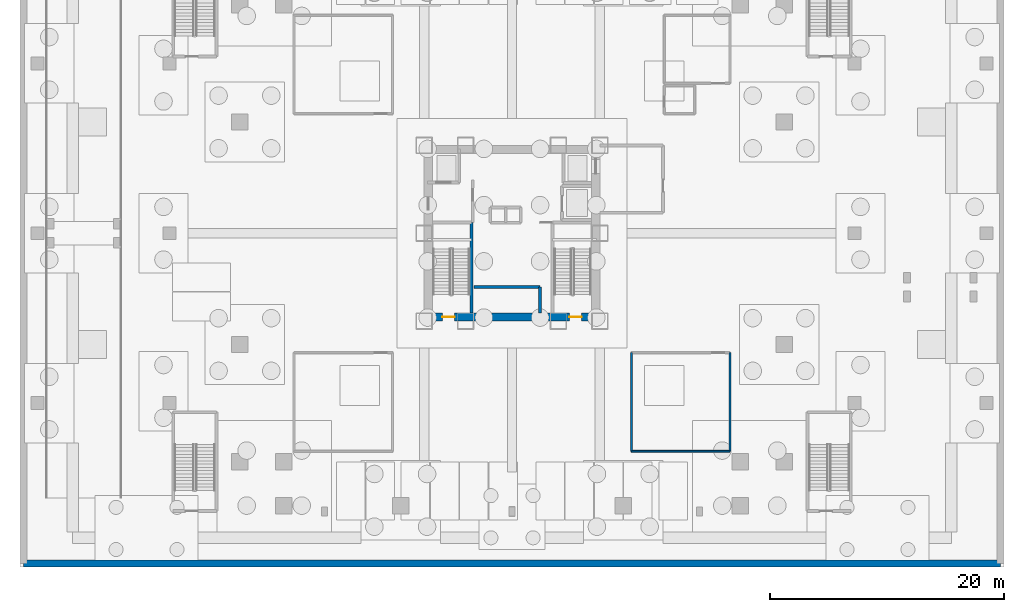
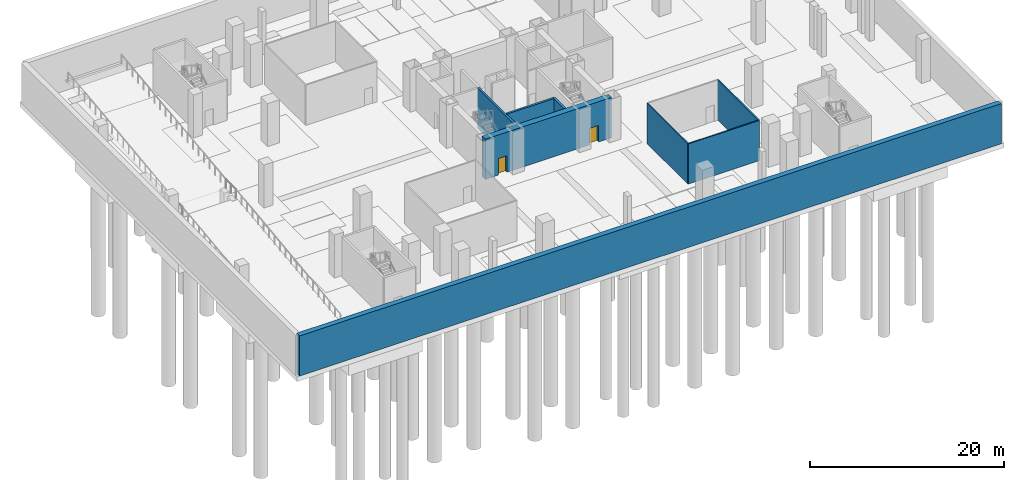
# One storey, part 4 of 16: 8 walls, 2 doors, 2 openings.
"""IFC4 building model written with IfcOpenShell, lengths in metres."""

from ifc_helpers import new_model, si_unit, direction, frame, frame_2d, origin, place, context, subcontext, project, spatial, rectangle, extrude, material, layer, layer_set, type_object, element, fill, save


model = new_model("IFC4")

# Units and contexts
model_context = context("Model", 3, precision=1e-05, world=origin(), true_north=direction((0.0, 1.0)))
body_context = subcontext(model_context, "Body", "Model", "MODEL_VIEW")
ifc_project = project(units=[si_unit("LENGTHUNIT", "METRE"), si_unit("AREAUNIT", "SQUARE_METRE"), si_unit("VOLUMEUNIT", "CUBIC_METRE"), si_unit("PLANEANGLEUNIT", "RADIAN"), si_unit("MASSUNIT", "GRAM", prefix="KILO")], contexts=[model_context])

# Site, building, storey
site_placement = place(None, origin())
site = spatial("IfcSite", under=ifc_project, at=site_placement, CompositionType="ELEMENT")
building_placement = place(site_placement, origin())
building = spatial("IfcBuilding", under=site, at=building_placement, Name="Trevonay Congress Spire", CompositionType="ELEMENT")
storey_placement = place(building_placement, frame((0.0, 0.0, -10.800048828125)))
storey = spatial("IfcBuildingStorey", under=building, at=storey_placement, Name="B2", CompositionType="ELEMENT", Elevation=-10.800048828125)

# Wall, openings, doors
ifc_material_1 = material(Name="Concrete C60/75", Category="concrete")
ifc_layer_1 = layer(ifc_material_1, 0.699951171875, Name="Concrete C60/75")
ifc_layer_set_1 = layer_set([ifc_layer_1], Name="Concrete C60/75")
wall_type_1 = type_object("IfcWallType", Name="WAL-CORE-700", PredefinedType="SHEAR", material=ifc_layer_set_1)
wall_1_placement = place(storey_placement, frame((-7.5, -7.14990234375, 0.0), z_axis=(0.0, 0.0, 1.0), x_axis=(1.0, 0.0, 0.0)))
wall_1 = element("IfcWall", 1, at=wall_1_placement, inside=storey, type_object=wall_type_1, Name="B2 South structural core shear wall", PredefinedType="SHEAR", context=body_context, shape_type="SweptSolid", body=[
    extrude(rectangle(XDim=15.0, YDim=0.699951171875, at=frame_2d((7.5, 0.0))), origin(), (0.0, 0.0, 1.0), 5.050048828125),
])
opening_1_placement = place(wall_1_placement, frame((1.550048828125, 0.0, 0.0)))
opening_1 = element("IfcOpeningElement", 2, at=opening_1_placement, cuts=wall_1, Name="Opening D05", PredefinedType="OPENING", context=body_context, shape_type="SweptSolid", body=[
    extrude(rectangle(XDim=1.050048828125, YDim=2.080078125, at=frame_2d((0.52490234375, 1.0400390625))), frame((0.0, 0.35986328125, 0.0), z_axis=(0.0, -1.0, 0.0), x_axis=(1.0, 0.0, 0.0)), (0.0, 0.0, 1.0), 0.719970703125),
])
opening_2_placement = place(wall_1_placement, frame((12.39990234375, 0.0, 0.0)))
opening_2 = element("IfcOpeningElement", 3, at=opening_2_placement, cuts=wall_1, Name="Opening D05", PredefinedType="OPENING", context=body_context, shape_type="SweptSolid", body=[
    extrude(rectangle(XDim=1.050048828125, YDim=2.080078125, at=frame_2d((0.52490234375, 1.0400390625))), frame((0.0, 0.35986328125, 0.0), z_axis=(0.0, -1.0, 0.0), x_axis=(1.0, 0.0, 0.0)), (0.0, 0.0, 1.0), 0.719970703125),
])
ifc_material_2 = material(Name="Steel ASTM A572 Grade 50", Category="steel")
door_type = type_object("IfcDoorType", Name="DOR-STAIR-110", OperationType="NOTDEFINED", PredefinedType="DOOR", material=ifc_material_2)
door_1_placement = place(opening_1_placement, origin())
door_1 = element("IfcDoor", 4, at=door_1_placement, inside=storey, type_object=door_type, Name="B2 Protected Stair ST-1 Door", OperationType="SINGLE_SWING_RIGHT", OverallHeight=2.080078125, OverallWidth=1.050048828125, PredefinedType="DOOR", context=body_context, shape_type="SweptSolid", body=[
    extrude(rectangle(XDim=1.050048828125, YDim=2.080078125, at=frame_2d((0.52490234375, 1.0400390625))), frame((0.0, 0.02490234375, 0.0), z_axis=(0.0, -1.0, 0.0), x_axis=(1.0, 0.0, 0.0)), (0.0, 0.0, 1.0), 0.050048828125),
])
fill(opening_1, door_1)
door_2_placement = place(opening_2_placement, origin())
door_2 = element("IfcDoor", 5, at=door_2_placement, inside=storey, type_object=door_type, Name="B2 Protected Stair ST-2 Door", OperationType="SINGLE_SWING_LEFT", OverallHeight=2.080078125, OverallWidth=1.050048828125, PredefinedType="DOOR", context=body_context, shape_type="SweptSolid", body=[
    extrude(rectangle(XDim=1.050048828125, YDim=2.080078125, at=frame_2d((0.52490234375, 1.0400390625))), frame((0.0, 0.02490234375, 0.0), z_axis=(0.0, -1.0, 0.0), x_axis=(1.0, 0.0, 0.0)), (0.0, 0.0, 1.0), 0.050048828125),
])
fill(opening_2, door_2)

# Walls
ifc_material_3 = material(Name="Concrete C40/50", Category="concrete")
ifc_layer_2 = layer(ifc_material_3, 0.14990234375, Name="Concrete C40/50")
ifc_layer_set_2 = layer_set([ifc_layer_2], Name="Concrete C40/50")
wall_type_2 = type_object("IfcWallType", Name="WAL-PART-150", PredefinedType="PARTITIONING", material=ifc_layer_set_2)
for number, where, z_axis, x_axis, name in (
    (6, (10.199951171875, -18.60009765625, 0.0), (0.0, 0.0, 1.0), (1.0, 0.0, 0.0), "B2 interior wall WB-B203-S"),
    (7, (10.199951171875, -18.60009765625, 0.0), (0.0, 0.0, 1.0), (0.0, 1.0, 0.0), "B2 interior wall WB-B203-W"),
    (8, (18.60009765625, -18.60009765625, 0.0), (0.0, 0.0, 1.0), (0.0, 1.0, 0.0), "B2 interior wall WB-B203-E"),
):
    element("IfcWall", number, at=place(storey_placement, frame(where, z_axis=z_axis, x_axis=x_axis)), inside=storey, type_object=wall_type_2, Name=name, PredefinedType="PARTITIONING", context=body_context, shape_type="SweptSolid", body=[
        extrude(rectangle(XDim=8.400146484375, YDim=0.14990234375, at=frame_2d((4.2001953125, 0.0))), origin(), (0.0, 0.0, 1.0), 5.050048828125),
    ])
ifc_material_4 = material(Name="Concrete C50/60", Category="concrete")
ifc_layer_3 = layer(ifc_material_4, 0.60009765625, Name="Concrete C50/60")
ifc_layer_set_3 = layer_set([ifc_layer_3], Name="Concrete C50/60")
wall_type_3 = type_object("IfcWallType", Name="WAL-RETAIN-600", PredefinedType="USERDEFINED", material=ifc_layer_set_3)
wall_2_placement = place(storey_placement, frame((-41.699951171875, -28.199951171875, 0.0), z_axis=(0.0, 0.0, 1.0), x_axis=(1.0, 0.0, 0.0)))
element("IfcWall", 9, at=wall_2_placement, inside=storey, type_object=wall_type_3, Name="B2 S perimeter concrete diaphragm retaining wall", ObjectType="RETAININGWALL", PredefinedType="USERDEFINED", context=body_context, shape_type="SweptSolid", body=[
    extrude(rectangle(XDim=83.39990234375, YDim=0.60009765625, at=frame_2d((41.699951171875, 0.0))), origin(), (0.0, 0.0, 1.0), 5.050048828125),
])
ifc_layer_4 = layer(ifc_material_3, 0.25, Name="Concrete C40/50")
ifc_layer_set_4 = layer_set([ifc_layer_4], Name="Concrete C40/50")
wall_type_4 = type_object("IfcWallType", Name="WAL-SHAFT-250", PredefinedType="SHEAR", material=ifc_layer_set_4)
wall_3_placement = place(storey_placement, frame((-3.260009765625, -4.580078125, 0.0), z_axis=(0.0, 0.0, 1.0), x_axis=(1.0, 0.0, 0.0)))
element("IfcWall", 10, at=wall_3_placement, inside=storey, type_object=wall_type_4, Name="B2 interior shaft wall WSH-B2-B1-N", PredefinedType="SHEAR", context=body_context, shape_type="SweptSolid", body=[
    extrude(rectangle(XDim=5.639892578125, YDim=0.25, at=frame_2d((2.81982421875, 0.0))), origin(), (0.0, 0.0, 1.0), 5.050048828125),
])
wall_4_placement = place(storey_placement, frame((2.3798828125, -6.800048828125, 0.0), z_axis=(0.0, 0.0, 1.0), x_axis=(0.0, 1.0, 0.0)))
element("IfcWall", 11, at=wall_4_placement, inside=storey, type_object=wall_type_4, Name="B2 interior shaft wall WSH-B2-B1-E", PredefinedType="SHEAR", context=body_context, shape_type="SweptSolid", body=[
    extrude(rectangle(XDim=2.219970703125, YDim=0.25, at=frame_2d((1.10986328125, 0.0))), origin(), (0.0, 0.0, 1.0), 5.050048828125),
])
ifc_layer_5 = layer(ifc_material_3, 0.25, Name="Concrete C40/50")
ifc_layer_set_5 = layer_set([ifc_layer_5], Name="Concrete C40/50")
wall_type_5 = type_object("IfcWallType", Name="WAL-SHAFT-LB-250", PredefinedType="SHEAR", material=ifc_layer_set_5)
wall_5_placement = place(storey_placement, frame((-3.469970703125, -6.800048828125, 0.0), z_axis=(0.0, 0.0, 1.0), x_axis=(0.0, 1.0, 0.0)))
element("IfcWall", 12, at=wall_5_placement, inside=storey, type_object=wall_type_5, Name="B2 interior shaft wall WSH-B2-ST1-E", PredefinedType="SHEAR", context=body_context, shape_type="SweptSolid", body=[
    extrude(rectangle(XDim=7.719970703125, YDim=0.25, at=frame_2d((3.85986328125, 0.0))), origin(), (0.0, 0.0, 1.0), 5.050048828125),
])

save(model, "model.ifc")
